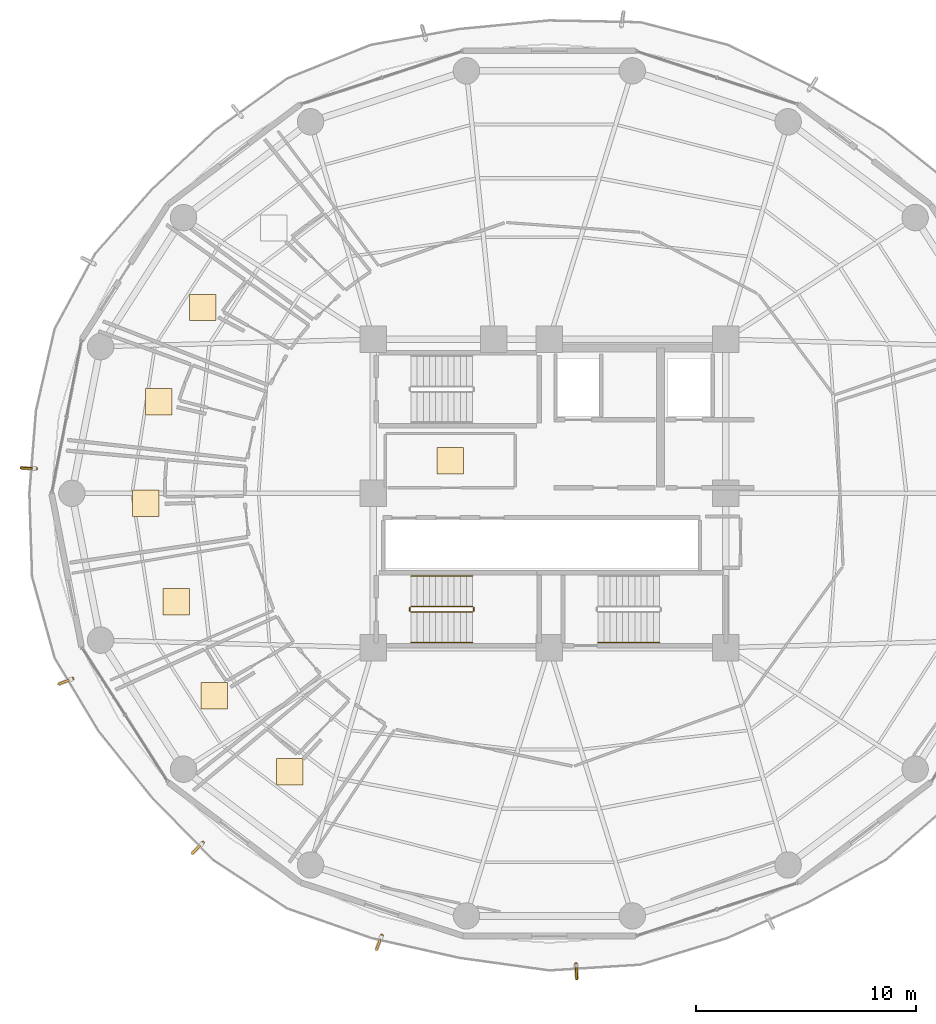
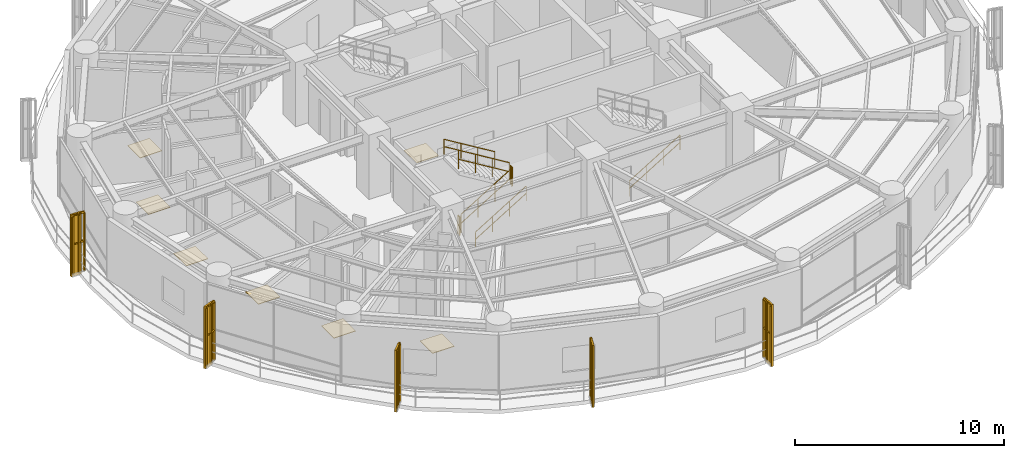
# One storey, part 25 of 27: 12 railings, 7 coverings, 5 shading devices.
"""IFC4 building model written with IfcOpenShell, lengths in metres."""

from ifc_helpers import new_model, si_unit, direction, frame, origin, origin_2d, place, context, subcontext, project, spatial, polyline, rectangle, outline, extrude, source, transform, mapped, material, layer, layer_set, type_object, element, save


model = new_model("IFC4")

# Units and contexts
model_context = context("Model", 3, precision=1e-05, world=origin(), true_north=direction((0.0, 1.0)))
body_context = subcontext(model_context, "Body", "Model", "MODEL_VIEW")
ifc_project = project(units=[si_unit("LENGTHUNIT", "METRE"), si_unit("AREAUNIT", "SQUARE_METRE"), si_unit("VOLUMEUNIT", "CUBIC_METRE"), si_unit("PLANEANGLEUNIT", "RADIAN"), si_unit("MASSUNIT", "GRAM", prefix="KILO")], contexts=[model_context])

# Site, building, storey
site_placement = place(None, origin())
site = spatial("IfcSite", under=ifc_project, at=site_placement, CompositionType="ELEMENT")
building_placement = place(site_placement, origin())
building = spatial("IfcBuilding", under=site, at=building_placement, Name="Kelanora Arch Commons", CompositionType="ELEMENT")
storey_placement = place(building_placement, frame((0.0, 0.0, 173.10009765625)))
storey = spatial("IfcBuildingStorey", under=building, at=storey_placement, Name="L44", CompositionType="ELEMENT", Elevation=173.10009765625)

# Railings
ifc_material_1 = material(Name="Anodised bronze vertical shading fin rib assembly")
railing_type_1 = type_object("IfcRailingType", Name="RAIL-FIN-BRZ", PredefinedType="BALUSTRADE", material=ifc_material_1)
railing_1_placement = place(storey_placement, frame((50.703369140625, 59.122314453125, -0.02001953125)))
element("IfcRailing", 1, at=railing_1_placement, inside=storey, type_object=railing_type_1, Name="Sweeping Bronze Vertical Fin Blade L44-08", PredefinedType="BALUSTRADE", context=body_context, shape_type="SweptSolid", body=[
    extrude(outline(polyline([(0.06982421875, 0.0), (0.034912109375, 0.060546875), (-0.034912109375, 0.060546875), (-0.06982421875, 0.0), (-0.034912109375, -0.060546875), (0.034912109375, -0.060546875), (0.06982421875, 0.0)])), frame((0.0, 0.0, 3.419921875), z_axis=(-0.998843441199, 0.048080973101, 0.0), x_axis=(-0.048080973101, -0.998843441199, 0.0)), (0.0, 0.0, 1.0), 0.629638671875),
    extrude(outline(polyline([(0.06982421875, 0.0), (0.034912109375, 0.060546875), (-0.034912109375, 0.060546875), (-0.06982421875, 0.0), (-0.034912109375, -0.060546875), (0.034912109375, -0.060546875), (0.06982421875, 0.0)])), frame((0.0, 0.0, 1.7451171875), z_axis=(-0.998843441199, 0.048080973101, 0.0), x_axis=(-0.048080973101, -0.998843441199, 0.0)), (0.0, 0.0, 1.0), 0.629638671875),
    extrude(outline(polyline([(0.080078125, 0.0), (0.0400390625, 0.0693359375), (-0.0400390625, 0.0693359375), (-0.080078125, 0.0), (-0.0400390625, -0.0693359375), (0.0400390625, -0.0693359375), (0.080078125, 0.0)])), origin(), (0.0, 0.0, 1.0), 3.35009765625),
    extrude(outline(polyline([(0.080078125, 0.0), (0.0400390625, 0.0693359375), (-0.0400390625, 0.0693359375), (-0.080078125, 0.0), (-0.0400390625, -0.0693359375), (0.0400390625, -0.0693359375), (0.080078125, 0.0)])), frame((-0.314453125, 0.01513671875, 0.0)), (0.0, 0.0, 1.0), 3.35009765625),
    extrude(outline(polyline([(0.080078125, 0.0), (0.0400390625, 0.0693359375), (-0.0400390625, 0.0693359375), (-0.080078125, 0.0), (-0.0400390625, -0.0693359375), (0.0400390625, -0.0693359375), (0.080078125, 0.0)])), frame((-0.62890625, 0.0302734375, 0.0)), (0.0, 0.0, 1.0), 3.35009765625),
])
railing_2_placement = place(storey_placement, frame((52.35791015625, 49.58740234375, -0.02001953125)))
element("IfcRailing", 2, at=railing_2_placement, inside=storey, type_object=railing_type_1, Name="Sweeping Bronze Vertical Fin Blade L44-09", PredefinedType="BALUSTRADE", context=body_context, shape_type="SweptSolid", body=[
    extrude(outline(polyline([(0.06982421875, 0.0), (0.034912109375, 0.060546875), (-0.034912109375, 0.060546875), (-0.06982421875, 0.0), (-0.034912109375, -0.060546875), (0.034912109375, -0.060546875), (0.06982421875, 0.0)])), frame((0.0, 0.0, 3.419921875), z_axis=(-0.932070169176, -0.362277793596, 0.0), x_axis=(0.362277793596, -0.932070169176, 0.0)), (0.0, 0.0, 1.0), 0.62939453125),
    extrude(outline(polyline([(0.06982421875, 0.0), (0.034912109375, 0.060546875), (-0.034912109375, 0.060546875), (-0.06982421875, 0.0), (-0.034912109375, -0.060546875), (0.034912109375, -0.060546875), (0.06982421875, 0.0)])), frame((0.0, 0.0, 1.7451171875), z_axis=(-0.932070169176, -0.362277793596, 0.0), x_axis=(0.362277793596, -0.932070169176, 0.0)), (0.0, 0.0, 1.0), 0.62939453125),
    extrude(outline(polyline([(0.080078125, 0.0), (0.0400390625, 0.0693359375), (-0.0400390625, 0.0693359375), (-0.080078125, 0.0), (-0.0400390625, -0.0693359375), (0.0400390625, -0.0693359375), (0.080078125, 0.0)])), origin(), (0.0, 0.0, 1.0), 3.35009765625),
    extrude(outline(polyline([(0.080078125, 0.0), (0.0400390625, 0.0693359375), (-0.0400390625, 0.0693359375), (-0.080078125, 0.0), (-0.0400390625, -0.0693359375), (0.0400390625, -0.0693359375), (0.080078125, 0.0)])), frame((-0.29345703125, -0.114013671875, 0.0)), (0.0, 0.0, 1.0), 3.35009765625),
    extrude(outline(polyline([(0.080078125, 0.0), (0.0400390625, 0.0693359375), (-0.0400390625, 0.0693359375), (-0.080078125, 0.0), (-0.0400390625, -0.0693359375), (0.0400390625, -0.0693359375), (0.080078125, 0.0)])), frame((-0.586669921875, -0.22802734375, 0.0)), (0.0, 0.0, 1.0), 3.35009765625),
])
railing_3_placement = place(storey_placement, frame((58.274658203125, 42.141357421875, -0.02001953125)))
element("IfcRailing", 3, at=railing_3_placement, inside=storey, type_object=railing_type_1, Name="Sweeping Bronze Vertical Fin Blade L44-10", PredefinedType="BALUSTRADE", context=body_context, shape_type="SweptSolid", body=[
    extrude(outline(polyline([(0.06982421875, 0.0), (0.034912109375, 0.060546875), (-0.034912109375, 0.060546875), (-0.06982421875, 0.0), (-0.034912109375, -0.060546875), (0.034912109375, -0.060546875), (0.06982421875, 0.0)])), frame((0.0, 0.0, 3.419921875), z_axis=(-0.703998664386, -0.71020129579, 0.0), x_axis=(0.71020129579, -0.703998664386, 0.0)), (0.0, 0.0, 1.0), 0.6298828125),
    extrude(outline(polyline([(0.06982421875, 0.0), (0.034912109375, 0.060546875), (-0.034912109375, 0.060546875), (-0.06982421875, 0.0), (-0.034912109375, -0.060546875), (0.034912109375, -0.060546875), (0.06982421875, 0.0)])), frame((0.0, 0.0, 1.7451171875), z_axis=(-0.703998664386, -0.71020129579, 0.0), x_axis=(0.71020129579, -0.703998664386, 0.0)), (0.0, 0.0, 1.0), 0.6298828125),
    extrude(outline(polyline([(0.080078125, 0.0), (0.0400390625, 0.0693359375), (-0.0400390625, 0.0693359375), (-0.080078125, 0.0), (-0.0400390625, -0.0693359375), (0.0400390625, -0.0693359375), (0.080078125, 0.0)])), origin(), (0.0, 0.0, 1.0), 3.35009765625),
    extrude(outline(polyline([(0.080078125, 0.0), (0.0400390625, 0.0693359375), (-0.0400390625, 0.0693359375), (-0.080078125, 0.0), (-0.0400390625, -0.0693359375), (0.0400390625, -0.0693359375), (0.080078125, 0.0)])), frame((-0.2216796875, -0.2236328125, 0.0)), (0.0, 0.0, 1.0), 3.35009765625),
    extrude(outline(polyline([(0.080078125, 0.0), (0.0400390625, 0.0693359375), (-0.0400390625, 0.0693359375), (-0.080078125, 0.0), (-0.0400390625, -0.0693359375), (0.0400390625, -0.0693359375), (0.080078125, 0.0)])), frame((-0.443359375, -0.447265625, 0.0)), (0.0, 0.0, 1.0), 3.35009765625),
])
railing_4_placement = place(storey_placement, frame((66.3935546875, 37.931396484375, -0.02001953125)))
element("IfcRailing", 4, at=railing_4_placement, inside=storey, type_object=railing_type_1, Name="Sweeping Bronze Vertical Fin Blade L44-11", PredefinedType="BALUSTRADE", context=body_context, shape_type="SweptSolid", body=[
    extrude(outline(polyline([(0.06982421875, 0.0), (0.034912109375, 0.060546875), (-0.034912109375, 0.060546875), (-0.06982421875, 0.0), (-0.034912109375, -0.060546875), (0.034912109375, -0.060546875), (0.06982421875, 0.0)])), frame((0.0, 0.0, 3.419921875), z_axis=(-0.354350348808, -0.935112736679, 0.0), x_axis=(0.935112736679, -0.354350348808, 0.0)), (0.0, 0.0, 1.0), 0.629638671875),
    extrude(outline(polyline([(0.06982421875, 0.0), (0.034912109375, 0.060546875), (-0.034912109375, 0.060546875), (-0.06982421875, 0.0), (-0.034912109375, -0.060546875), (0.034912109375, -0.060546875), (0.06982421875, 0.0)])), frame((0.0, 0.0, 1.7451171875), z_axis=(-0.354350348808, -0.935112736679, 0.0), x_axis=(0.935112736679, -0.354350348808, 0.0)), (0.0, 0.0, 1.0), 0.629638671875),
    extrude(outline(polyline([(0.080078125, 0.0), (0.0400390625, 0.0693359375), (-0.0400390625, 0.0693359375), (-0.080078125, 0.0), (-0.0400390625, -0.0693359375), (0.0400390625, -0.0693359375), (0.080078125, 0.0)])), origin(), (0.0, 0.0, 1.0), 3.35009765625),
    extrude(outline(polyline([(0.080078125, 0.0), (0.0400390625, 0.0693359375), (-0.0400390625, 0.0693359375), (-0.080078125, 0.0), (-0.0400390625, -0.0693359375), (0.0400390625, -0.0693359375), (0.080078125, 0.0)])), frame((-0.111572265625, -0.29443359375, 0.0)), (0.0, 0.0, 1.0), 3.35009765625),
    extrude(outline(polyline([(0.080078125, 0.0), (0.0400390625, 0.0693359375), (-0.0400390625, 0.0693359375), (-0.080078125, 0.0), (-0.0400390625, -0.0693359375), (0.0400390625, -0.0693359375), (0.080078125, 0.0)])), frame((-0.22314453125, -0.5888671875, 0.0)), (0.0, 0.0, 1.0), 3.35009765625),
])
railing_5_placement = place(storey_placement, frame((75.209716796875, 36.644287109375, -0.02001953125)))
element("IfcRailing", 5, at=railing_5_placement, inside=storey, type_object=railing_type_1, Name="Sweeping Bronze Vertical Fin Blade L44-12", PredefinedType="BALUSTRADE", context=body_context, shape_type="SweptSolid", body=[
    extrude(outline(polyline([(0.06982421875, 0.0), (0.034912109375, 0.060546875), (-0.034912109375, 0.060546875), (-0.06982421875, 0.0), (-0.034912109375, -0.060546875), (0.034912109375, -0.060546875), (0.06982421875, 0.0)])), frame((0.0, 0.0, 3.419921875), z_axis=(0.056630032588, -0.998395232064, 0.0), x_axis=(0.998395232064, 0.056630032588, 0.0)), (0.0, 0.0, 1.0), 0.62939453125),
    extrude(outline(polyline([(0.06982421875, 0.0), (0.034912109375, 0.060546875), (-0.034912109375, 0.060546875), (-0.06982421875, 0.0), (-0.034912109375, -0.060546875), (0.034912109375, -0.060546875), (0.06982421875, 0.0)])), frame((0.0, 0.0, 1.7451171875), z_axis=(0.056630032588, -0.998395232064, 0.0), x_axis=(0.998395232064, 0.056630032588, 0.0)), (0.0, 0.0, 1.0), 0.62939453125),
    extrude(outline(polyline([(0.080078125, 0.0), (0.0400390625, 0.0693359375), (-0.0400390625, 0.0693359375), (-0.080078125, 0.0), (-0.0400390625, -0.0693359375), (0.0400390625, -0.0693359375), (0.080078125, 0.0)])), origin(), (0.0, 0.0, 1.0), 3.35009765625),
    extrude(outline(polyline([(0.080078125, 0.0), (0.0400390625, 0.0693359375), (-0.0400390625, 0.0693359375), (-0.080078125, 0.0), (-0.0400390625, -0.0693359375), (0.0400390625, -0.0693359375), (0.080078125, 0.0)])), frame((0.017822265625, -0.314208984375, 0.0)), (0.0, 0.0, 1.0), 3.35009765625),
    extrude(outline(polyline([(0.080078125, 0.0), (0.0400390625, 0.0693359375), (-0.0400390625, 0.0693359375), (-0.080078125, 0.0), (-0.0400390625, -0.0693359375), (0.0400390625, -0.0693359375), (0.080078125, 0.0)])), frame((0.03564453125, -0.62841796875, 0.0)), (0.0, 0.0, 1.0), 3.35009765625),
])
ifc_material_2 = material(Name="Painted steel stair well guard", Category="steel")
railing_type_2 = type_object("IfcRailingType", Name="RAIL-STAIR-GRD", PredefinedType="GUARDRAIL", material=ifc_material_2)
railing_6_placement = place(storey_placement, frame((67.719970703125, 52.610107421875, 0.17041015625)))
element("IfcRailing", 6, at=railing_6_placement, inside=storey, type_object=railing_type_2, Name="L44 ST-T3 stair guard 1", PredefinedType="GUARDRAIL", context=body_context, shape_type="SweptSolid", body=[
    extrude(outline(polyline([(0.02392578125, 0.0), (0.011962890625, 0.020751953125), (-0.011962890625, 0.020751953125), (-0.02392578125, 0.0), (-0.011962890625, -0.020751953125), (0.011962890625, -0.020751953125), (0.02392578125, 0.0)])), frame((0.0, 0.0, 1.076171875), z_axis=(0.854169791009, 0.0, 0.51999420009), x_axis=(0.0, 1.0, 0.0)), (0.0, 0.0, 1.0), 3.278076171875),
    extrude(outline(polyline([(0.02392578125, 0.0), (0.011962890625, 0.020751953125), (-0.011962890625, 0.020751953125), (-0.02392578125, 0.0), (-0.011962890625, -0.020751953125), (0.011962890625, -0.020751953125), (0.02392578125, 0.0)])), frame((0.0, 0.0, 0.550048828125), z_axis=(0.854169791009, 0.0, 0.51999420009), x_axis=(0.0, 1.0, 0.0)), (0.0, 0.0, 1.0), 3.278076171875),
    extrude(outline(polyline([(0.02099609375, 0.0), (0.010498046875, 0.01806640625), (-0.010498046875, 0.01806640625), (-0.02099609375, 0.0), (-0.010498046875, -0.01806640625), (0.010498046875, -0.01806640625), (0.02099609375, 0.0)])), origin(), (0.0, 0.0, 1.0), 1.052001953125),
    extrude(outline(polyline([(0.02099609375, 0.0), (0.010498046875, 0.01806640625), (-0.010498046875, 0.01806640625), (-0.02099609375, 0.0), (-0.010498046875, -0.01806640625), (0.010498046875, -0.01806640625), (0.02099609375, 0.0)])), frame((0.933349609375, 0.0, 0.568115234375)), (0.0, 0.0, 1.0), 1.052001953125),
    extrude(outline(polyline([(0.02099609375, 0.0), (0.010498046875, 0.01806640625), (-0.010498046875, 0.01806640625), (-0.02099609375, 0.0), (-0.010498046875, -0.01806640625), (0.010498046875, -0.01806640625), (0.02099609375, 0.0)])), frame((1.86669921875, 0.0, 1.136474609375)), (0.0, 0.0, 1.0), 1.052001953125),
    extrude(outline(polyline([(0.02099609375, 0.0), (0.010498046875, 0.01806640625), (-0.010498046875, 0.01806640625), (-0.02099609375, 0.0), (-0.010498046875, -0.01806640625), (0.010498046875, -0.01806640625), (0.02099609375, 0.0)])), frame((2.800048828125, 0.0, 1.70458984375)), (0.0, 0.0, 1.0), 1.052001953125),
])
railing_7_placement = place(storey_placement, frame((70.570068359375, 52.659912109375, 1.875)))
element("IfcRailing", 7, at=railing_7_placement, inside=storey, type_object=railing_type_2, Name="L44 ST-T3 stair guard 2", PredefinedType="GUARDRAIL", context=body_context, shape_type="SweptSolid", body=[
    extrude(outline(polyline([(0.02392578125, 0.0), (0.011962890625, 0.020751953125), (-0.011962890625, 0.020751953125), (-0.02392578125, 0.0), (-0.011962890625, -0.020751953125), (0.011962890625, -0.020751953125), (0.02392578125, 0.0)])), frame((0.0, 0.0, 1.076171875), z_axis=(0.0, 1.0, 0.0), x_axis=(-1.0, 0.0, 0.0)), (0.0, 0.0, 1.0), 0.150146484375),
    extrude(outline(polyline([(0.02392578125, 0.0), (0.011962890625, 0.020751953125), (-0.011962890625, 0.020751953125), (-0.02392578125, 0.0), (-0.011962890625, -0.020751953125), (0.011962890625, -0.020751953125), (0.02392578125, 0.0)])), frame((0.0, 0.0, 0.550048828125), z_axis=(0.0, 1.0, 0.0), x_axis=(-1.0, 0.0, 0.0)), (0.0, 0.0, 1.0), 0.150146484375),
    extrude(outline(polyline([(0.02099609375, 0.0), (0.010498046875, 0.01806640625), (-0.010498046875, 0.01806640625), (-0.02099609375, 0.0), (-0.010498046875, -0.01806640625), (0.010498046875, -0.01806640625), (0.02099609375, 0.0)])), origin(), (0.0, 0.0, 1.0), 1.052001953125),
    extrude(outline(polyline([(0.02099609375, 0.0), (0.010498046875, 0.01806640625), (-0.010498046875, 0.01806640625), (-0.02099609375, 0.0), (-0.010498046875, -0.01806640625), (0.010498046875, -0.01806640625), (0.02099609375, 0.0)])), frame((0.0, 0.150146484375, 0.0)), (0.0, 0.0, 1.0), 1.052001953125),
])
railing_8_placement = place(storey_placement, frame((70.52001953125, 52.860107421875, 2.04541015625)))
element("IfcRailing", 8, at=railing_8_placement, inside=storey, type_object=railing_type_2, Name="L44 ST-T3 stair guard 3", PredefinedType="GUARDRAIL", context=body_context, shape_type="SweptSolid", body=[
    extrude(outline(polyline([(0.02392578125, 0.0), (0.011962890625, 0.020751953125), (-0.011962890625, 0.020751953125), (-0.02392578125, 0.0), (-0.011962890625, -0.020751953125), (0.011962890625, -0.020751953125), (0.02392578125, 0.0)])), frame((0.0, 0.0, 1.076171875), z_axis=(-0.854169791009, 0.0, 0.51999420009), x_axis=(0.0, -1.0, 0.0)), (0.0, 0.0, 1.0), 3.278076171875),
    extrude(outline(polyline([(0.02392578125, 0.0), (0.011962890625, 0.020751953125), (-0.011962890625, 0.020751953125), (-0.02392578125, 0.0), (-0.011962890625, -0.020751953125), (0.011962890625, -0.020751953125), (0.02392578125, 0.0)])), frame((0.0, 0.0, 0.550048828125), z_axis=(-0.854169791009, 0.0, 0.51999420009), x_axis=(0.0, -1.0, 0.0)), (0.0, 0.0, 1.0), 3.278076171875),
    extrude(outline(polyline([(0.02099609375, 0.0), (0.010498046875, 0.01806640625), (-0.010498046875, 0.01806640625), (-0.02099609375, 0.0), (-0.010498046875, -0.01806640625), (0.010498046875, -0.01806640625), (0.02099609375, 0.0)])), origin(), (0.0, 0.0, 1.0), 1.052001953125),
    extrude(outline(polyline([(0.02099609375, 0.0), (0.010498046875, 0.01806640625), (-0.010498046875, 0.01806640625), (-0.02099609375, 0.0), (-0.010498046875, -0.01806640625), (0.010498046875, -0.01806640625), (0.02099609375, 0.0)])), frame((-0.933349609375, 0.0, 0.568115234375)), (0.0, 0.0, 1.0), 1.052001953125),
    extrude(outline(polyline([(0.02099609375, 0.0), (0.010498046875, 0.01806640625), (-0.010498046875, 0.01806640625), (-0.02099609375, 0.0), (-0.010498046875, -0.01806640625), (0.010498046875, -0.01806640625), (0.02099609375, 0.0)])), frame((-1.86669921875, 0.0, 1.136474609375)), (0.0, 0.0, 1.0), 1.052001953125),
    extrude(outline(polyline([(0.02099609375, 0.0), (0.010498046875, 0.01806640625), (-0.010498046875, 0.01806640625), (-0.02099609375, 0.0), (-0.010498046875, -0.01806640625), (0.010498046875, -0.01806640625), (0.02099609375, 0.0)])), frame((-2.800048828125, 0.0, 1.70458984375)), (0.0, 0.0, 1.0), 1.052001953125),
])
railing_9_placement = place(storey_placement, frame((67.669921875, 52.659912109375, 0.0)))
element("IfcRailing", 9, at=railing_9_placement, inside=storey, type_object=railing_type_2, Name="L44 ST-T3 stair guard 4", PredefinedType="GUARDRAIL", context=body_context, shape_type="SweptSolid", body=[
    extrude(outline(polyline([(0.02392578125, 0.0), (0.011962890625, 0.020751953125), (-0.011962890625, 0.020751953125), (-0.02392578125, 0.0), (-0.011962890625, -0.020751953125), (0.011962890625, -0.020751953125), (0.02392578125, 0.0)])), frame((0.0, 0.0, 1.076171875), z_axis=(0.0, 1.0, 0.0), x_axis=(-1.0, 0.0, 0.0)), (0.0, 0.0, 1.0), 0.150146484375),
    extrude(outline(polyline([(0.02392578125, 0.0), (0.011962890625, 0.020751953125), (-0.011962890625, 0.020751953125), (-0.02392578125, 0.0), (-0.011962890625, -0.020751953125), (0.011962890625, -0.020751953125), (0.02392578125, 0.0)])), frame((0.0, 0.0, 0.550048828125), z_axis=(0.0, 1.0, 0.0), x_axis=(-1.0, 0.0, 0.0)), (0.0, 0.0, 1.0), 0.150146484375),
    extrude(outline(polyline([(0.02099609375, 0.0), (0.010498046875, 0.01806640625), (-0.010498046875, 0.01806640625), (-0.02099609375, 0.0), (-0.010498046875, -0.01806640625), (0.010498046875, -0.01806640625), (0.02099609375, 0.0)])), origin(), (0.0, 0.0, 1.0), 1.052001953125),
    extrude(outline(polyline([(0.02099609375, 0.0), (0.010498046875, 0.01806640625), (-0.010498046875, 0.01806640625), (-0.02099609375, 0.0), (-0.010498046875, -0.01806640625), (0.010498046875, -0.01806640625), (0.02099609375, 0.0)])), frame((0.0, 0.150146484375, 0.0)), (0.0, 0.0, 1.0), 1.052001953125),
])
ifc_material_3 = material(Name="Brushed stainless steel stair handrail", Category="steel")
railing_type_3 = type_object("IfcRailingType", Name="RAIL-STAIR-HND", PredefinedType="HANDRAIL", material=ifc_material_3)
railing_10_placement = place(storey_placement, frame((76.199951171875, 51.22998046875, 0.17041015625)))
element("IfcRailing", 10, at=railing_10_placement, inside=storey, type_object=railing_type_3, Name="L44 ST-T2 stair handrail 1", PredefinedType="HANDRAIL", context=body_context, shape_type="SweptSolid", body=[
    extrude(outline(polyline([(0.02392578125, 0.0), (0.011962890625, 0.020751953125), (-0.011962890625, 0.020751953125), (-0.02392578125, 0.0), (-0.011962890625, -0.020751953125), (0.011962890625, -0.020751953125), (0.02392578125, 0.0)])), frame((0.0, 0.0, 0.8759765625), z_axis=(0.854169791009, 0.0, 0.51999420009), x_axis=(0.0, 1.0, 0.0)), (0.0, 0.0, 1.0), 3.278076171875),
    extrude(outline(polyline([(0.02392578125, 0.0), (0.011962890625, 0.020751953125), (-0.011962890625, 0.020751953125), (-0.02392578125, 0.0), (-0.011962890625, -0.020751953125), (0.011962890625, -0.020751953125), (0.02392578125, 0.0)])), frame((0.0, 0.0, 0.449951171875), z_axis=(0.854169791009, 0.0, 0.51999420009), x_axis=(0.0, 1.0, 0.0)), (0.0, 0.0, 1.0), 3.278076171875),
    extrude(outline(polyline([(0.02099609375, 0.0), (0.010498046875, 0.01806640625), (-0.010498046875, 0.01806640625), (-0.02099609375, 0.0), (-0.010498046875, -0.01806640625), (0.010498046875, -0.01806640625), (0.02099609375, 0.0)])), origin(), (0.0, 0.0, 1.0), 0.851806640625),
    extrude(outline(polyline([(0.02099609375, 0.0), (0.010498046875, 0.01806640625), (-0.010498046875, 0.01806640625), (-0.02099609375, 0.0), (-0.010498046875, -0.01806640625), (0.010498046875, -0.01806640625), (0.02099609375, 0.0)])), frame((0.933349609375, 0.0, 0.568115234375)), (0.0, 0.0, 1.0), 0.851806640625),
    extrude(outline(polyline([(0.02099609375, 0.0), (0.010498046875, 0.01806640625), (-0.010498046875, 0.01806640625), (-0.02099609375, 0.0), (-0.010498046875, -0.01806640625), (0.010498046875, -0.01806640625), (0.02099609375, 0.0)])), frame((1.86669921875, 0.0, 1.136474609375)), (0.0, 0.0, 1.0), 0.851806640625),
    extrude(outline(polyline([(0.02099609375, 0.0), (0.010498046875, 0.01806640625), (-0.010498046875, 0.01806640625), (-0.02099609375, 0.0), (-0.010498046875, -0.01806640625), (0.010498046875, -0.01806640625), (0.02099609375, 0.0)])), frame((2.800048828125, 0.0, 1.70458984375)), (0.0, 0.0, 1.0), 0.851806640625),
])
railing_11_placement = place(storey_placement, frame((67.719970703125, 51.22998046875, 0.17041015625)))
element("IfcRailing", 11, at=railing_11_placement, inside=storey, type_object=railing_type_3, Name="L44 ST-T3 stair handrail 1", PredefinedType="HANDRAIL", context=body_context, shape_type="SweptSolid", body=[
    extrude(outline(polyline([(0.02392578125, 0.0), (0.011962890625, 0.020751953125), (-0.011962890625, 0.020751953125), (-0.02392578125, 0.0), (-0.011962890625, -0.020751953125), (0.011962890625, -0.020751953125), (0.02392578125, 0.0)])), frame((0.0, 0.0, 0.8759765625), z_axis=(0.854169791009, 0.0, 0.51999420009), x_axis=(0.0, 1.0, 0.0)), (0.0, 0.0, 1.0), 3.278076171875),
    extrude(outline(polyline([(0.02392578125, 0.0), (0.011962890625, 0.020751953125), (-0.011962890625, 0.020751953125), (-0.02392578125, 0.0), (-0.011962890625, -0.020751953125), (0.011962890625, -0.020751953125), (0.02392578125, 0.0)])), frame((0.0, 0.0, 0.449951171875), z_axis=(0.854169791009, 0.0, 0.51999420009), x_axis=(0.0, 1.0, 0.0)), (0.0, 0.0, 1.0), 3.278076171875),
    extrude(outline(polyline([(0.02099609375, 0.0), (0.010498046875, 0.01806640625), (-0.010498046875, 0.01806640625), (-0.02099609375, 0.0), (-0.010498046875, -0.01806640625), (0.010498046875, -0.01806640625), (0.02099609375, 0.0)])), origin(), (0.0, 0.0, 1.0), 0.851806640625),
    extrude(outline(polyline([(0.02099609375, 0.0), (0.010498046875, 0.01806640625), (-0.010498046875, 0.01806640625), (-0.02099609375, 0.0), (-0.010498046875, -0.01806640625), (0.010498046875, -0.01806640625), (0.02099609375, 0.0)])), frame((0.933349609375, 0.0, 0.568115234375)), (0.0, 0.0, 1.0), 0.851806640625),
    extrude(outline(polyline([(0.02099609375, 0.0), (0.010498046875, 0.01806640625), (-0.010498046875, 0.01806640625), (-0.02099609375, 0.0), (-0.010498046875, -0.01806640625), (0.010498046875, -0.01806640625), (0.02099609375, 0.0)])), frame((1.86669921875, 0.0, 1.136474609375)), (0.0, 0.0, 1.0), 0.851806640625),
    extrude(outline(polyline([(0.02099609375, 0.0), (0.010498046875, 0.01806640625), (-0.010498046875, 0.01806640625), (-0.02099609375, 0.0), (-0.010498046875, -0.01806640625), (0.010498046875, -0.01806640625), (0.02099609375, 0.0)])), frame((2.800048828125, 0.0, 1.70458984375)), (0.0, 0.0, 1.0), 0.851806640625),
])
railing_12_placement = place(storey_placement, frame((70.52001953125, 54.239990234375, 2.04541015625)))
element("IfcRailing", 12, at=railing_12_placement, inside=storey, type_object=railing_type_3, Name="L44 ST-T3 stair handrail 2", PredefinedType="HANDRAIL", context=body_context, shape_type="SweptSolid", body=[
    extrude(outline(polyline([(0.02392578125, 0.0), (0.011962890625, 0.020751953125), (-0.011962890625, 0.020751953125), (-0.02392578125, 0.0), (-0.011962890625, -0.020751953125), (0.011962890625, -0.020751953125), (0.02392578125, 0.0)])), frame((0.0, 0.0, 0.8759765625), z_axis=(-0.854169791009, 0.0, 0.51999420009), x_axis=(0.0, -1.0, 0.0)), (0.0, 0.0, 1.0), 3.278076171875),
    extrude(outline(polyline([(0.02392578125, 0.0), (0.011962890625, 0.020751953125), (-0.011962890625, 0.020751953125), (-0.02392578125, 0.0), (-0.011962890625, -0.020751953125), (0.011962890625, -0.020751953125), (0.02392578125, 0.0)])), frame((0.0, 0.0, 0.449951171875), z_axis=(-0.854169791009, 0.0, 0.51999420009), x_axis=(0.0, -1.0, 0.0)), (0.0, 0.0, 1.0), 3.278076171875),
    extrude(outline(polyline([(0.02099609375, 0.0), (0.010498046875, 0.01806640625), (-0.010498046875, 0.01806640625), (-0.02099609375, 0.0), (-0.010498046875, -0.01806640625), (0.010498046875, -0.01806640625), (0.02099609375, 0.0)])), origin(), (0.0, 0.0, 1.0), 0.851806640625),
    extrude(outline(polyline([(0.02099609375, 0.0), (0.010498046875, 0.01806640625), (-0.010498046875, 0.01806640625), (-0.02099609375, 0.0), (-0.010498046875, -0.01806640625), (0.010498046875, -0.01806640625), (0.02099609375, 0.0)])), frame((-0.933349609375, 0.0, 0.568115234375)), (0.0, 0.0, 1.0), 0.851806640625),
    extrude(outline(polyline([(0.02099609375, 0.0), (0.010498046875, 0.01806640625), (-0.010498046875, 0.01806640625), (-0.02099609375, 0.0), (-0.010498046875, -0.01806640625), (0.010498046875, -0.01806640625), (0.02099609375, 0.0)])), frame((-1.86669921875, 0.0, 1.136474609375)), (0.0, 0.0, 1.0), 0.851806640625),
    extrude(outline(polyline([(0.02099609375, 0.0), (0.010498046875, 0.01806640625), (-0.010498046875, 0.01806640625), (-0.02099609375, 0.0), (-0.010498046875, -0.01806640625), (0.010498046875, -0.01806640625), (0.02099609375, 0.0)])), frame((-2.800048828125, 0.0, 1.70458984375)), (0.0, 0.0, 1.0), 0.851806640625),
])

# Shading devices
ifc_material_4 = material(Name="Terracotta ceramic-clad extruded aluminium fin", Category="masonry")
shading_device_type = type_object("IfcShadingDeviceType", Name="SHD-FIN-WAIST", PredefinedType="USERDEFINED", material=ifc_material_4)
shared_shape_1 = source(origin(), body_context, "Body", "SweptSolid", [
    extrude(rectangle(XDim=0.56005859375, YDim=0.090087890625, at=origin_2d()), origin(), (0.0, 0.0, 1.0), 3.610107421875),
])
for number, where, z_axis, x_axis, name in (
    (13, (50.2490234375, 59.144287109375, -0.14013671875), (0.0, 0.0, 1.0), (-0.998839997509, 0.04815245972, 0.0), "Sweeping Terracotta Fin L44-08"),
    (14, (51.93408203125, 49.422607421875, -0.14013671875), (0.0, 0.0, 1.0), (-0.932071112458, -0.362275366705, 0.0), "Sweeping Terracotta Fin L44-09"),
    (15, (57.95458984375, 41.818359375, -0.14013671875), (0.0, 0.0, 1.0), (-0.704138664464, -0.710062491058, 0.0), "Sweeping Terracotta Fin L44-10"),
    (16, (66.232421875, 37.506103515625, -0.14013671875), (0.0, 0.0, 1.0), (-0.354454244484, -0.935073359992, 0.0), "Sweeping Terracotta Fin L44-11"),
    (17, (75.2353515625, 36.190185546875, -0.14013671875), (0.0, 0.0, 1.0), (0.056518534482, -0.998401550109, 0.0), "Sweeping Terracotta Fin L44-12"),
):
    element("IfcShadingDevice", number, at=place(storey_placement, frame(where, z_axis=z_axis, x_axis=x_axis)), inside=storey, type_object=shading_device_type, Name=name, ObjectType="FIN", PredefinedType="USERDEFINED", context=body_context, shape_type="MappedRepresentation", body=[
        mapped(shared_shape_1, transform((0.0, 0.0, 0.0), scale=1.0)),
    ])

# Coverings
ifc_material_5 = material(Name="Polished local granite terrazzo flooring", Category="masonry")
ifc_layer = layer(ifc_material_5, 0.030029296875)
ifc_layer_set = layer_set([ifc_layer], Name="Polished local granite terrazzo flooring")
covering_type = type_object("IfcCoveringType", Name="COV-FLR-TER", PredefinedType="FLOORING", material=ifc_layer_set)
shared_shape_2 = source(origin(), body_context, "Body", "SweptSolid", [
    extrude(rectangle(XDim=1.199951171875, YDim=1.199951171875, at=origin_2d()), origin(), (0.0, 0.0, 1.0), 0.030029296875),
])
for number, where, z_axis, x_axis, name in (
    (18, (69.5, 59.485107421875, 0.0), (0.0, 0.0, 1.0), (1.0, 0.0, 0.0), "Reclaimed Core Study Pod Lounge L44 Terrazzo Finish"),
    (19, (58.25634765625, 66.439697265625, 0.0), (0.0, 0.0, 1.0), (1.0, 0.0, 0.0), "Cluster Bedroom L44-02 Terrazzo Finish"),
    (20, (56.268310546875, 62.1640625, 0.0), (0.0, 0.0, 1.0), (1.0, 0.0, 0.0), "Cluster Bedroom L44-03 Terrazzo Finish"),
    (21, (55.680908203125, 57.559814453125, 0.0), (0.0, 0.0, 1.0), (1.0, 0.0, 0.0), "Cluster Bedroom L44-04 Terrazzo Finish"),
    (22, (57.056396484375, 53.073974609375, 0.0), (0.0, 0.0, 1.0), (1.0, 0.0, 0.0), "Shared Cluster Kitchen L44-05 Terrazzo Finish"),
    (23, (58.77978515625, 48.81640625, 0.0), (0.0, 0.0, 1.0), (1.0, 0.0, 0.0), "Cluster Bedroom L44-06 Terrazzo Finish"),
    (24, (62.22119140625, 45.367919921875, 0.0), (0.0, 0.0, 1.0), (1.0, 0.0, 0.0), "Cluster Bedroom L44-07 Terrazzo Finish"),
):
    element("IfcCovering", number, at=place(storey_placement, frame(where, z_axis=z_axis, x_axis=x_axis)), inside=storey, type_object=covering_type, Name=name, PredefinedType="FLOORING", context=body_context, shape_type="MappedRepresentation", body=[
        mapped(shared_shape_2, transform((0.0, 0.0, 0.0), scale=1.0)),
    ])

save(model, "model.ifc")
